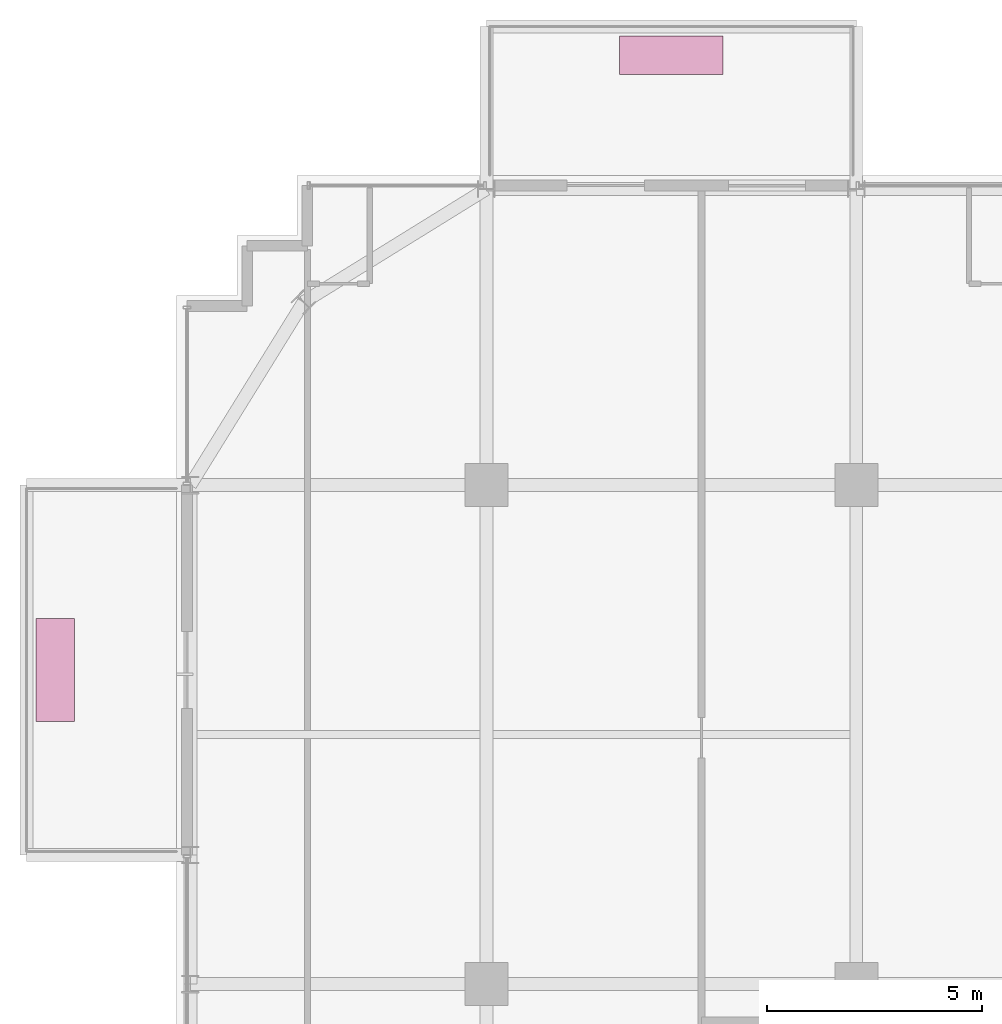
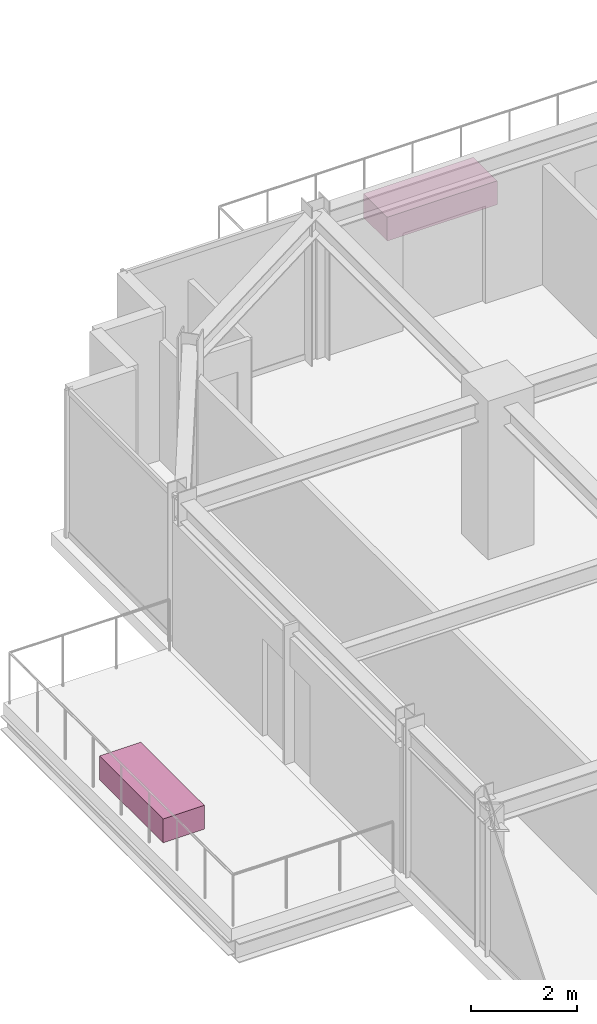
# One storey, part 36 of 36: 2 furnishings.
"""IFC4 building model written with IfcOpenShell, lengths in metres."""

from ifc_helpers import new_model, si_unit, direction, frame, origin, origin_2d, place, context, subcontext, project, spatial, rectangle, extrude, source, transform, mapped, material, type_object, element, save


model = new_model("IFC4")

# Units and contexts
model_context = context("Model", 3, precision=1e-05, world=origin(), true_north=direction((0.0, 1.0)))
body_context = subcontext(model_context, "Body", "Model", "MODEL_VIEW")
ifc_project = project(units=[si_unit("LENGTHUNIT", "METRE"), si_unit("AREAUNIT", "SQUARE_METRE"), si_unit("VOLUMEUNIT", "CUBIC_METRE"), si_unit("PLANEANGLEUNIT", "RADIAN"), si_unit("MASSUNIT", "GRAM", prefix="KILO")], contexts=[model_context])

# Site, building, storey
site_placement = place(None, origin())
site = spatial("IfcSite", under=ifc_project, at=site_placement, CompositionType="ELEMENT")
building_placement = place(site_placement, origin())
building = spatial("IfcBuilding", under=site, at=building_placement, Name="Nahalor Promenade Grand Hotel", CompositionType="ELEMENT")
storey_placement = place(building_placement, frame((0.0, 0.0, 212.300048828125)))
storey = spatial("IfcBuildingStorey", under=building, at=storey_placement, Name="L54", CompositionType="ELEMENT", Elevation=212.300048828125)

# Furnishings
ifc_material = material(Name="Vegetated Volcanic-Lapilli Tree Planter", Category="earth")
furnishing_element_type = type_object("IfcFurnishingElementType", Name="Planter-VerticalForest-Box", material=ifc_material)
shared_shape = source(origin(), body_context, "Body", "SweptSolid", [
    extrude(rectangle(XDim=2.39990234375, YDim=0.89990234375, at=origin_2d()), origin(), (0.0, 0.0, 1.0), 0.550048828125),
])
for number, where, z_axis, x_axis, name in (
    (1, (-12.699951171875, 26.989990234375, 0.0), (0.0, 0.0, 1.0), (1.0, 0.0, 0.0), "L54 Balcony Structural Tree Planter 1"),
    (2, (-27.02001953125, 12.699951171875, 0.0), (0.0, 0.0, 1.0), (0.0, 1.0, 0.0), "L54 Balcony Structural Tree Planter 2"),
):
    element("IfcFurnishingElement", number, at=place(storey_placement, frame(where, z_axis=z_axis, x_axis=x_axis)), inside=storey, type_object=furnishing_element_type, Name=name, ObjectType="PLANTER", context=body_context, shape_type="MappedRepresentation", body=[
        mapped(shared_shape, transform((0.0, 0.0, 0.0), scale=1.0)),
    ])

save(model, "model.ifc")
